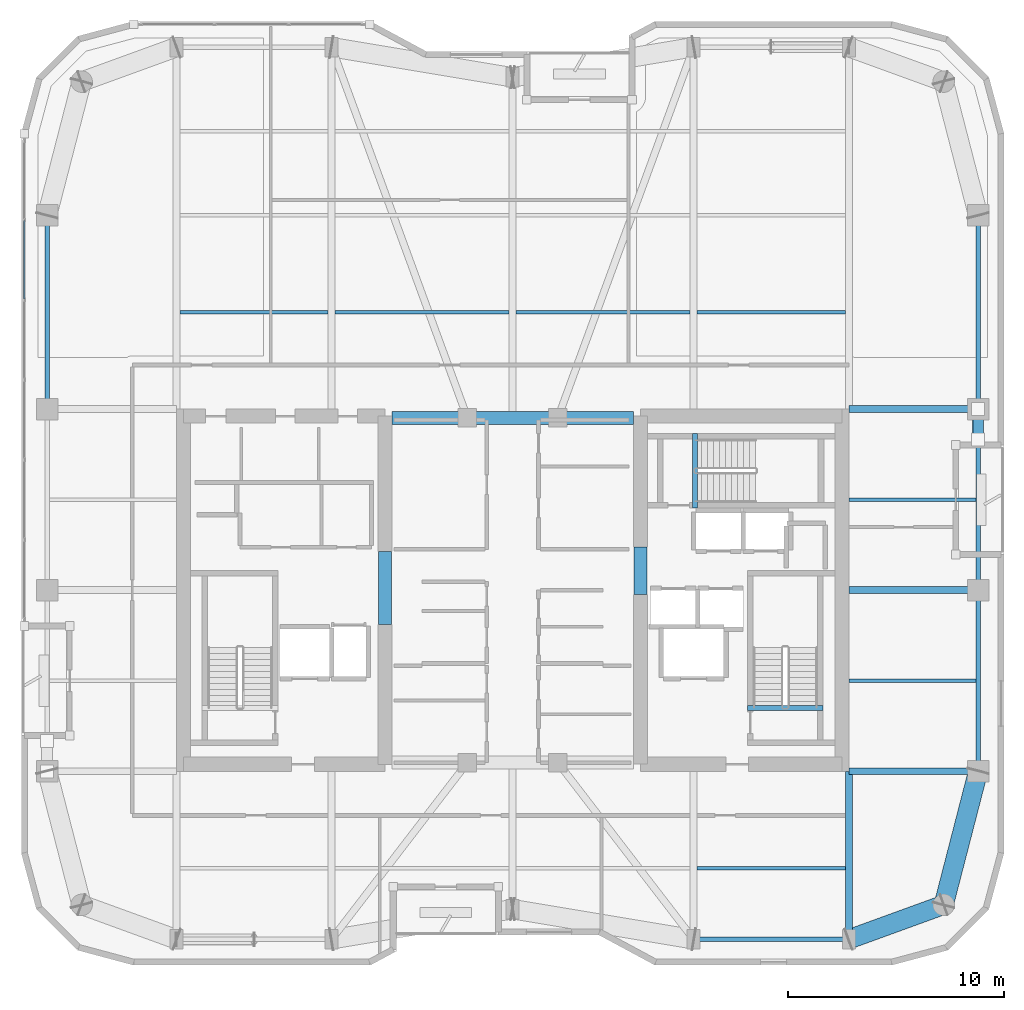
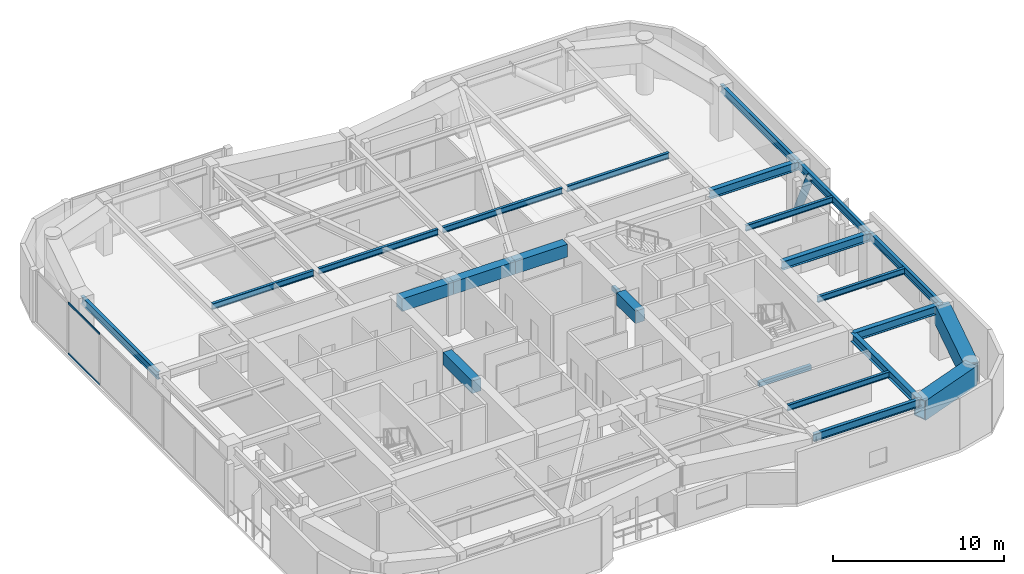
# One storey, part 5 of 21: 25 beams, 3 members, 1 element without a shape of its own.
"""IFC4 building model written with IfcOpenShell, lengths in metres."""

from ifc_helpers import new_model, si_unit, direction, frame, origin, origin_2d, place, context, subcontext, project, spatial, rectangle, hollow_rectangle, hollow_circle, i_section, extrude, material, layer, layer_set, material_profile, profile_set, type_object, element, aggregate, save


model = new_model("IFC4")

# Units and contexts
model_context = context("Model", 3, precision=1e-05, world=origin(), true_north=direction((0.0, 1.0)))
body_context = subcontext(model_context, "Body", "Model", "MODEL_VIEW")
ifc_project = project(units=[si_unit("LENGTHUNIT", "METRE"), si_unit("AREAUNIT", "SQUARE_METRE"), si_unit("VOLUMEUNIT", "CUBIC_METRE"), si_unit("PLANEANGLEUNIT", "RADIAN"), si_unit("MASSUNIT", "GRAM", prefix="KILO")], contexts=[model_context])

# Site, building, storey
site_placement = place(None, origin())
site = spatial("IfcSite", under=ifc_project, at=site_placement, CompositionType="ELEMENT")
building_placement = place(site_placement, origin())
building = spatial("IfcBuilding", under=site, at=building_placement, Name="Kiyonajd Concourse Tower", CompositionType="ELEMENT")
storey_placement = place(building_placement, frame((0.0, 0.0, 231.0)))
storey = spatial("IfcBuildingStorey", under=building, at=storey_placement, Name="L58", CompositionType="ELEMENT", Elevation=231.0)

# Beams
ifc_material_1 = material(Name="Concrete C60/75", Category="concrete")
ifc_material_profile_1 = material_profile(ifc_material_1, rectangle(XDim=0.60009765625, YDim=0.89990234375, at=origin_2d()), Name="RCBM-600x900")
ifc_profile_set_1 = profile_set([ifc_material_profile_1], Name="Concrete C60/75")
beam_type_1 = type_object("IfcBeamType", Name="BM-COUP-900", PredefinedType="LINTEL", material=ifc_profile_set_1)
beam_1_placement = place(storey_placement, frame((42.39990234375, 44.0, 3.22998046875), z_axis=(1.0, 0.0, 0.0), x_axis=(0.0, 1.0, 0.0)))
element("IfcBeam", 1, at=beam_1_placement, inside=storey, type_object=beam_type_1, Name="L58 Core Coupling Beam N1", PredefinedType="LINTEL", context=body_context, shape_type="SweptSolid", body=[
    extrude(rectangle(XDim=0.60009765625, YDim=0.89990234375, at=origin_2d()), origin(), (0.0, 0.0, 1.0), 3.5),
])
beam_2_placement = place(storey_placement, frame((45.89990234375, 44.0, 3.22998046875), z_axis=(1.0, 0.0, 0.0), x_axis=(0.0, 1.0, 0.0)))
element("IfcBeam", 2, at=beam_2_placement, inside=storey, type_object=beam_type_1, Name="L58 Core Coupling Beam N2", PredefinedType="LINTEL", context=body_context, shape_type="SweptSolid", body=[
    extrude(rectangle(XDim=0.60009765625, YDim=0.89990234375, at=origin_2d()), origin(), (0.0, 0.0, 1.0), 4.2001953125),
])
beam_3_placement = place(storey_placement, frame((50.10009765625, 44.0, 3.22998046875), z_axis=(1.0, 0.0, 0.0), x_axis=(0.0, 1.0, 0.0)))
element("IfcBeam", 3, at=beam_3_placement, inside=storey, type_object=beam_type_1, Name="L58 Core Coupling Beam N3", PredefinedType="LINTEL", context=body_context, shape_type="SweptSolid", body=[
    extrude(rectangle(XDim=0.60009765625, YDim=0.89990234375, at=origin_2d()), origin(), (0.0, 0.0, 1.0), 3.5),
])
beam_4_placement = place(storey_placement, frame((42.074951171875, 34.39990234375, 3.22998046875), z_axis=(0.0, 1.0, 0.0), x_axis=(-1.0, 0.0, 0.0)))
element("IfcBeam", 4, at=beam_4_placement, inside=storey, type_object=beam_type_1, Name="L58 West Core Throat Coupling Lintel", PredefinedType="LINTEL", context=body_context, shape_type="SweptSolid", body=[
    extrude(rectangle(XDim=0.60009765625, YDim=0.89990234375, at=origin_2d()), origin(), (0.0, 0.0, 1.0), 3.400146484375),
])
beam_5_placement = place(storey_placement, frame((53.925048828125, 35.800048828125, 3.22998046875), z_axis=(0.0, 1.0, 0.0), x_axis=(-1.0, 0.0, 0.0)))
element("IfcBeam", 5, at=beam_5_placement, inside=storey, type_object=beam_type_1, Name="L58 East Core Throat Coupling Lintel", PredefinedType="LINTEL", context=body_context, shape_type="SweptSolid", body=[
    extrude(rectangle(XDim=0.60009765625, YDim=0.89990234375, at=origin_2d()), origin(), (0.0, 0.0, 1.0), 2.199951171875),
])
ifc_material_2 = material(Name="Steel ASTM A992 Grade 50", Category="steel")
ifc_material_profile_2 = material_profile(ifc_material_2, i_section(OverallWidth=0.180908203125, OverallDepth=0.4169921875, WebThickness=0.010986328125, FlangeThickness=0.018310546875, at=origin_2d()), Name="W410X85")
ifc_profile_set_2 = profile_set([ifc_material_profile_2], Name="Steel ASTM A992 Grade 50")
beam_type_2 = type_object("IfcBeamType", Name="BM-JST-410", PredefinedType="JOIST", material=ifc_profile_set_2)
for number, where, z_axis, x_axis, name in (
    (6, (56.56201171875, 23.10009765625, 3.471435546875), (1.0, 0.0, 0.0), (0.0, 1.0, 0.0), "L58 Secondary Floor Joist"),
    (7, (32.56201171875, 48.89990234375, 3.471435546875), (1.0, 0.0, 0.0), (0.0, 1.0, 0.0), "L58 Secondary Floor Joist"),
):
    element("IfcBeam", number, at=place(storey_placement, frame(where, z_axis=z_axis, x_axis=x_axis)), inside=storey, type_object=beam_type_2, Name=name, PredefinedType="JOIST", context=body_context, shape_type="SweptSolid", body=[
        extrude(i_section(OverallWidth=0.180908203125, OverallDepth=0.4169921875, WebThickness=0.010986328125, FlangeThickness=0.018310546875, at=origin_2d()), origin(), (0.0, 0.0, 1.0), 6.8759765625),
    ])
for number, where, z_axis, x_axis, name in (
    (8, (39.761962890625, 48.89990234375, 3.471435546875), (1.0, 0.0, 0.0), (0.0, 1.0, 0.0), "L58 Secondary Floor Joist"),
    (9, (48.162109375, 48.89990234375, 3.471435546875), (1.0, 0.0, 0.0), (0.0, 1.0, 0.0), "L58 Secondary Floor Joist"),
):
    element("IfcBeam", number, at=place(storey_placement, frame(where, z_axis=z_axis, x_axis=x_axis)), inside=storey, type_object=beam_type_2, Name=name, PredefinedType="JOIST", context=body_context, shape_type="SweptSolid", body=[
        extrude(i_section(OverallWidth=0.180908203125, OverallDepth=0.4169921875, WebThickness=0.010986328125, FlangeThickness=0.018310546875, at=origin_2d()), origin(), (0.0, 0.0, 1.0), 8.075927734375),
    ])
beam_6_placement = place(storey_placement, frame((56.56201171875, 48.89990234375, 3.471435546875), z_axis=(1.0, 0.0, 0.0), x_axis=(0.0, 1.0, 0.0)))
element("IfcBeam", 10, at=beam_6_placement, inside=storey, type_object=beam_type_2, Name="L58 Secondary Floor Joist", PredefinedType="JOIST", context=body_context, shape_type="SweptSolid", body=[
    extrude(i_section(OverallWidth=0.180908203125, OverallDepth=0.4169921875, WebThickness=0.010986328125, FlangeThickness=0.018310546875, at=origin_2d()), origin(), (0.0, 0.0, 1.0), 6.8759765625),
])
for number, where, z_axis, x_axis, name in (
    (11, (63.60009765625, 31.800048828125, 3.471435546875), (1.0, 0.0, 0.0), (0.0, 1.0, 0.0), "L58 East Secondary Floor Joist"),
    (12, (63.60009765625, 40.199951171875, 3.471435546875), (1.0, 0.0, 0.0), (0.0, 1.0, 0.0), "L58 East Secondary Floor Joist"),
):
    element("IfcBeam", number, at=place(storey_placement, frame(where, z_axis=z_axis, x_axis=x_axis)), inside=storey, type_object=beam_type_2, Name=name, PredefinedType="JOIST", context=body_context, shape_type="SweptSolid", body=[
        extrude(i_section(OverallWidth=0.180908203125, OverallDepth=0.4169921875, WebThickness=0.010986328125, FlangeThickness=0.018310546875, at=origin_2d()), origin(), (0.0, 0.0, 1.0), 5.892822265625),
    ])
ifc_material_3 = material(Name="Concrete C50/60", Category="concrete")
ifc_material_profile_3 = material_profile(ifc_material_3, rectangle(XDim=0.239990234375, YDim=0.320068359375, at=origin_2d()), Name="RCBM-240x320")
ifc_profile_set_3 = profile_set([ifc_material_profile_3], Name="Concrete C50/60")
beam_type_3 = type_object("IfcBeamType", Name="BM-LNT-250", PredefinedType="LINTEL", material=ifc_profile_set_3)
beam_7_placement = place(storey_placement, frame((58.889892578125, 30.530029296875, -0.159912109375), z_axis=(1.0, 0.0, 0.0), x_axis=(0.0, 1.0, 0.0)))
element("IfcBeam", 13, at=beam_7_placement, inside=storey, type_object=beam_type_3, Name="L58 Stair ST2 Threshold Support Beam", PredefinedType="LINTEL", context=body_context, shape_type="SweptSolid", body=[
    extrude(rectangle(XDim=0.239990234375, YDim=0.320068359375, at=origin_2d()), origin(), (0.0, 0.0, 1.0), 3.52001953125),
])
beam_8_placement = place(storey_placement, frame((56.4599609375, 39.820068359375, -0.159912109375), z_axis=(0.0, 1.0, 0.0), x_axis=(-1.0, 0.0, 0.0)))
element("IfcBeam", 14, at=beam_8_placement, inside=storey, type_object=beam_type_3, Name="L58 Stair ST3 Threshold Support Beam", PredefinedType="LINTEL", context=body_context, shape_type="SweptSolid", body=[
    extrude(rectangle(XDim=0.239990234375, YDim=0.320068359375, at=origin_2d()), origin(), (0.0, 0.0, 1.0), 3.4599609375),
])
ifc_material_profile_4 = material_profile(ifc_material_2, i_section(OverallWidth=0.214111328125, OverallDepth=0.549072265625, WebThickness=0.0146484375, FlangeThickness=0.023681640625, at=origin_2d()), Name="W530X138")
ifc_profile_set_4 = profile_set([ifc_material_profile_4], Name="Steel ASTM A992 Grade 50")
beam_type_4 = type_object("IfcBeamType", Name="BM-SPAN-530A", PredefinedType="SPANDREL", material=ifc_profile_set_4)
beam_9_placement = place(storey_placement, frame((56.39990234375, 19.800048828125, 3.405517578125), z_axis=(1.0, 0.0, 0.0), x_axis=(0.0, 1.0, 0.0)))
element("IfcBeam", 15, at=beam_9_placement, inside=storey, type_object=beam_type_4, Name="L58 Perimeter Bundled Tube Spandrel", PredefinedType="SPANDREL", context=body_context, shape_type="SweptSolid", body=[
    extrude(i_section(OverallWidth=0.214111328125, OverallDepth=0.549072265625, WebThickness=0.0146484375, FlangeThickness=0.023681640625, at=origin_2d()), origin(), (0.0, 0.0, 1.0), 7.2001953125),
])
for number, where, z_axis, x_axis, name in (
    (16, (69.60009765625, 27.60009765625, 3.405517578125), (0.0, 1.0, 0.0), (-1.0, 0.0, 0.0), "L58 Perimeter Bundled Tube Spandrel"),
    (17, (69.60009765625, 36.0, 3.405517578125), (0.0, 1.0, 0.0), (-1.0, 0.0, 0.0), "L58 Perimeter Bundled Tube Spandrel"),
):
    element("IfcBeam", number, at=place(storey_placement, frame(where, z_axis=z_axis, x_axis=x_axis)), inside=storey, type_object=beam_type_4, Name=name, PredefinedType="SPANDREL", context=body_context, shape_type="SweptSolid", body=[
        extrude(i_section(OverallWidth=0.214111328125, OverallDepth=0.549072265625, WebThickness=0.0146484375, FlangeThickness=0.023681640625, at=origin_2d()), origin(), (0.0, 0.0, 1.0), 8.39990234375),
    ])
for number, where, z_axis, x_axis, name in (
    (18, (69.60009765625, 44.39990234375, 3.405517578125), (0.0, 1.0, 0.0), (-1.0, 0.0, 0.0), "L58 Perimeter Bundled Tube Spandrel"),
    (19, (26.39990234375, 53.39990234375, 3.405517578125), (0.0, -1.0, 0.0), (1.0, 0.0, 0.0), "L58 Perimeter Bundled Tube Spandrel"),
):
    element("IfcBeam", number, at=place(storey_placement, frame(where, z_axis=z_axis, x_axis=x_axis)), inside=storey, type_object=beam_type_4, Name=name, PredefinedType="SPANDREL", context=body_context, shape_type="SweptSolid", body=[
        extrude(i_section(OverallWidth=0.214111328125, OverallDepth=0.549072265625, WebThickness=0.0146484375, FlangeThickness=0.023681640625, at=origin_2d()), origin(), (0.0, 0.0, 1.0), 9.0),
    ])
ifc_material_profile_5 = material_profile(ifc_material_2, i_section(OverallWidth=0.323974609375, OverallDepth=0.611083984375, WebThickness=0.0126953125, FlangeThickness=0.01904296875, at=origin_2d()), Name="W610X155")
ifc_profile_set_5 = profile_set([ifc_material_profile_5], Name="Steel ASTM A992 Grade 50")
beam_type_5 = type_object("IfcBeamType", Name="BM-TWR-610B", PredefinedType="BEAM", material=ifc_profile_set_5)
beam_10_placement = place(storey_placement, frame((63.60009765625, 19.800048828125, 3.37451171875), z_axis=(0.0, 1.0, 0.0), x_axis=(-1.0, 0.0, 0.0)))
element("IfcBeam", 20, at=beam_10_placement, inside=storey, type_object=beam_type_5, Name="L58 South Lease Girder", PredefinedType="BEAM", context=body_context, shape_type="SweptSolid", body=[
    extrude(i_section(OverallWidth=0.323974609375, OverallDepth=0.611083984375, WebThickness=0.0126953125, FlangeThickness=0.01904296875, at=origin_2d()), origin(), (0.0, 0.0, 1.0), 7.800048828125),
])
for number, where, z_axis, x_axis, name in (
    (21, (63.60009765625, 27.60009765625, 3.37451171875), (1.0, 0.0, 0.0), (0.0, 1.0, 0.0), "L58 East Lease Girder"),
    (22, (63.60009765625, 36.0, 3.37451171875), (1.0, 0.0, 0.0), (0.0, 1.0, 0.0), "L58 East Lease Girder"),
    (23, (63.60009765625, 44.39990234375, 3.37451171875), (1.0, 0.0, 0.0), (0.0, 1.0, 0.0), "L58 East Lease Girder"),
):
    element("IfcBeam", number, at=place(storey_placement, frame(where, z_axis=z_axis, x_axis=x_axis)), inside=storey, type_object=beam_type_5, Name=name, PredefinedType="BEAM", context=body_context, shape_type="SweptSolid", body=[
        extrude(i_section(OverallWidth=0.323974609375, OverallDepth=0.611083984375, WebThickness=0.0126953125, FlangeThickness=0.01904296875, at=origin_2d()), origin(), (0.0, 0.0, 1.0), 6.0),
    ])
ifc_material_4 = material(Name="Steel ASTM A572 Grade 50", Category="steel")
ifc_material_profile_6 = material_profile(ifc_material_4, hollow_rectangle(XDim=0.89990234375, YDim=1.39990234375, WallThickness=0.070068359375, at=origin_2d()), Name="BOX-1400x900x70")
ifc_profile_set_6 = profile_set([ifc_material_profile_6], Name="Steel ASTM A572 Grade 50")
beam_type_6 = type_object("IfcBeamType", Name="BM-XFER-1400", PredefinedType="BEAM", material=ifc_profile_set_6)
beam_11_placement = place(storey_placement, frame((63.60009765625, 19.800048828125, 2.97998046875), z_axis=(0.939801036019, 0.341722127901, 0.0), x_axis=(-0.341722127901, 0.939801036019, 0.0)))
element("IfcBeam", 24, at=beam_11_placement, inside=storey, type_object=beam_type_6, Name="L58 Perimeter Bundled Tube Spandrel", PredefinedType="BEAM", context=body_context, shape_type="SweptSolid", body=[
    extrude(hollow_rectangle(XDim=0.89990234375, YDim=1.39990234375, WallThickness=0.070068359375, at=origin_2d()), origin(), (0.0, 0.0, 1.0), 4.681640625),
])
beam_12_placement = place(storey_placement, frame((68.0, 21.39990234375, 2.97998046875), z_axis=(0.249884937687, 0.968275538221, 0.0), x_axis=(-0.968275538221, 0.249884937687, 0.0)))
element("IfcBeam", 25, at=beam_12_placement, inside=storey, type_object=beam_type_6, Name="L58 Perimeter Bundled Tube Spandrel", PredefinedType="BEAM", context=body_context, shape_type="SweptSolid", body=[
    extrude(hollow_rectangle(XDim=0.89990234375, YDim=1.39990234375, WallThickness=0.070068359375, at=origin_2d()), origin(), (0.0, 0.0, 1.0), 6.4033203125),
])

# Curtain wall, members
ifc_material_5 = material(Name="Thermally Broken Anodised Aluminium", Category="aluminium")
ifc_layer = layer(ifc_material_5, 0.179931640625)
ifc_layer_set = layer_set([ifc_layer], Name="Thermally Broken Anodised Aluminium")
curtain_wall_type = type_object("IfcCurtainWallType", Name="CW-SYS-04", PredefinedType="NOTDEFINED", material=ifc_layer_set)
curtain_wall_placement = place(storey_placement, origin())
curtain_wall = element("IfcCurtainWall", 26, at=curtain_wall_placement, inside=storey, type_object=curtain_wall_type, Name="L58 Unitised Curtain Wall CW4", PredefinedType="NOTDEFINED")
ifc_material_profile_7 = material_profile(ifc_material_5, hollow_rectangle(XDim=0.06494140625, YDim=0.139892578125, WallThickness=0.00390625, at=origin_2d()), Name="TRAN-65x140")
ifc_profile_set_7 = profile_set([ifc_material_profile_7], Name="Thermally Broken Anodised Aluminium")
member_type_1 = type_object("IfcMemberType", Name="MB-CW-TRAN1", PredefinedType="USERDEFINED", material=ifc_profile_set_7)
member_1_placement = place(storey_placement, frame((25.340087890625, 49.503662109375, 0.032470703125), z_axis=(0.0, 1.0, 0.0), x_axis=(-1.0, 0.0, 0.0)))
member_1 = element("IfcMember", 27, at=member_1_placement, type_object=member_type_1, Name="CW4 transom 5.1", ObjectType="TRANSOM", PredefinedType="USERDEFINED", context=body_context, shape_type="SweptSolid", body=[
    extrude(hollow_rectangle(XDim=0.06494140625, YDim=0.139892578125, WallThickness=0.00390625, at=origin_2d()), origin(), (0.0, 0.0, 1.0), 3.645263671875),
])
member_2_placement = place(storey_placement, frame((25.340087890625, 49.503662109375, 3.6474609375), z_axis=(0.0, 1.0, 0.0), x_axis=(-1.0, 0.0, 0.0)))
member_2 = element("IfcMember", 28, at=member_2_placement, type_object=member_type_1, Name="CW4 transom 5.2", ObjectType="TRANSOM", PredefinedType="USERDEFINED", context=body_context, shape_type="SweptSolid", body=[
    extrude(hollow_rectangle(XDim=0.06494140625, YDim=0.139892578125, WallThickness=0.00390625, at=origin_2d()), origin(), (0.0, 0.0, 1.0), 3.645263671875),
])
aggregate(curtain_wall, [member_1, member_2])

# Member
ifc_material_6 = material(Name="Steel ASTM A500 Grade C", Category="steel")
ifc_material_profile_8 = material_profile(ifc_material_6, hollow_circle(Radius=0.25390625, WallThickness=0.02197265625, at=origin_2d()), Name="CHS-508x22")
ifc_profile_set_8 = profile_set([ifc_material_profile_8], Name="Steel ASTM A500 Grade C")
member_type_2 = type_object("IfcMemberType", Name="MB-PB-MID", PredefinedType="BRACE", material=ifc_profile_set_8)
member_3_placement = place(storey_placement, frame((69.60009765625, 44.39990234375, 0.300048828125), z_axis=(0.0, -0.419410666774, 0.907796614114), x_axis=(1.0, 0.0, 0.0)))
element("IfcMember", 29, at=member_3_placement, inside=storey, type_object=member_type_2, Name="L58 Upper Zone Hollow Tube Brace PBE", PredefinedType="BRACE", context=body_context, shape_type="SweptSolid", body=[
    extrude(hollow_circle(Radius=0.25390625, WallThickness=0.02197265625, at=origin_2d()), origin(), (0.0, 0.0, 1.0), 3.337890625),
])

save(model, "model.ifc")
